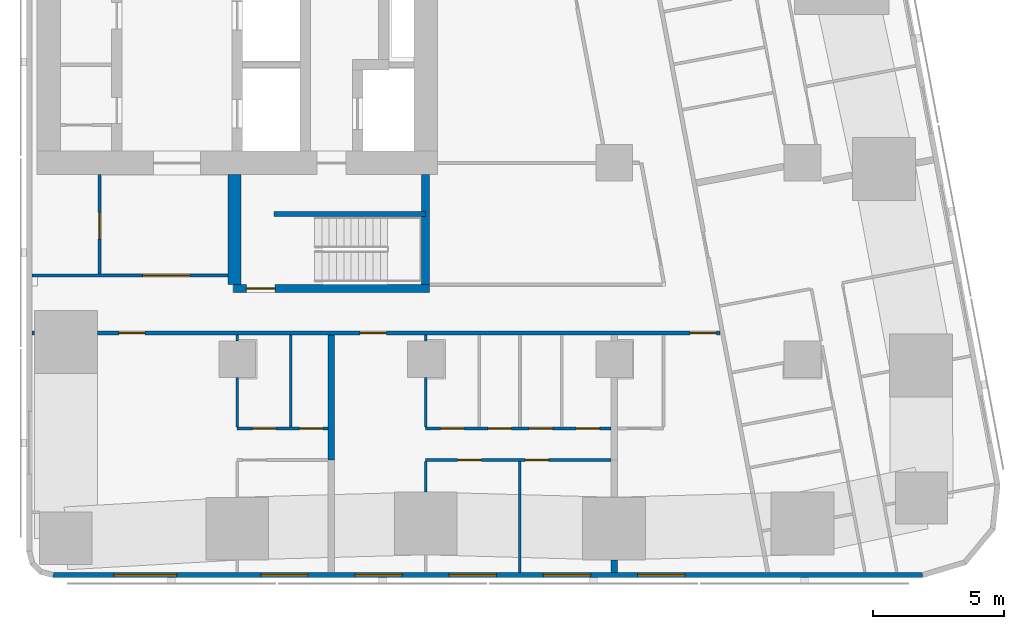
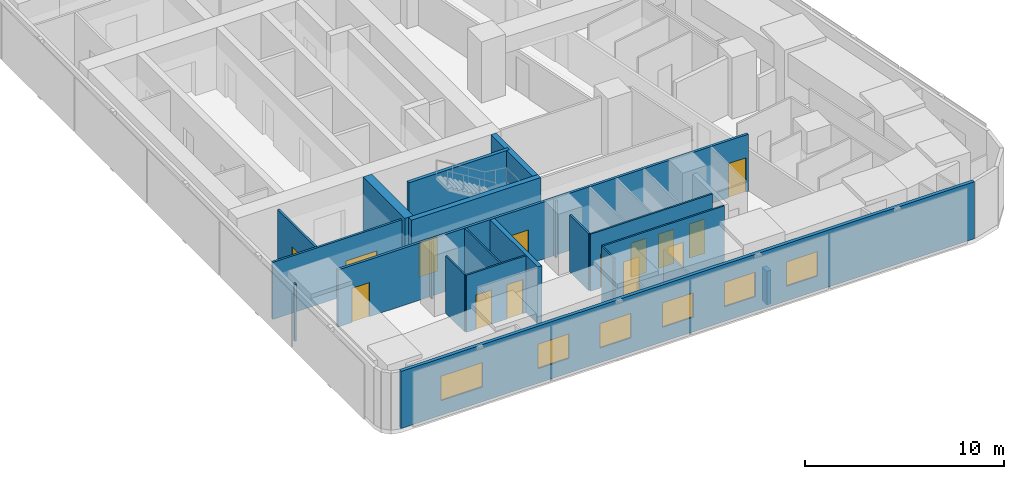
# One storey, part 2 of 10: 21 walls, 14 doors, 6 windows, 20 openings.
"""IFC4 building model written with IfcOpenShell, lengths in metres."""

from ifc_helpers import new_model, si_unit, direction, frame, frame_2d, origin, place, context, subcontext, project, spatial, rectangle, extrude, material, layer, layer_set, type_object, element, fill, save


model = new_model("IFC4")

# Units and contexts
model_context = context("Model", 3, precision=1e-05, world=origin(), true_north=direction((0.0, 1.0)))
body_context = subcontext(model_context, "Body", "Model", "MODEL_VIEW")
ifc_project = project(units=[si_unit("LENGTHUNIT", "METRE"), si_unit("AREAUNIT", "SQUARE_METRE"), si_unit("VOLUMEUNIT", "CUBIC_METRE"), si_unit("PLANEANGLEUNIT", "RADIAN"), si_unit("MASSUNIT", "GRAM", prefix="KILO")], contexts=[model_context])

# Site, building, storey
site_placement = place(None, origin())
site = spatial("IfcSite", under=ifc_project, at=site_placement, CompositionType="ELEMENT")
building_placement = place(site_placement, origin())
building = spatial("IfcBuilding", under=site, at=building_placement, Name="Sheger Commons Tower", CompositionType="ELEMENT")
storey_placement = place(building_placement, frame((0.0, 0.0, 227.449951171875)))
storey = spatial("IfcBuildingStorey", under=building, at=storey_placement, Name="L58", CompositionType="ELEMENT", Elevation=227.449951171875)

# Wall, openings, doors
ifc_material_1 = material(Name="Hollow concrete block masonry, skimmed both sides", Category="masonry")
ifc_layer_1 = layer(ifc_material_1, 0.14990234375)
ifc_layer_set_1 = layer_set([ifc_layer_1], Name="CORRIDOR WALL 150")
wall_type_1 = type_object("IfcWallType", Name="CORRIDOR WALL 150", PredefinedType="SOLIDWALL", material=ifc_layer_set_1)
wall_1_placement = place(storey_placement, frame((40.052978515625, 8.5, 0.0), z_axis=(0.0, 0.0, 1.0), x_axis=(-1.0, 0.0, 0.0)))
wall_1 = element("IfcWall", 1, at=wall_1_placement, inside=storey, type_object=wall_type_1, Name="Corridor wall L58", PredefinedType="SOLIDWALL", context=body_context, shape_type="SweptSolid", body=[
    extrude(rectangle(XDim=23.798095703125, YDim=0.14990234375, at=frame_2d((11.89892578125, 0.0))), origin(), (0.0, 0.0, 1.0), 3.5),
])
opening_1_placement = place(wall_1_placement, frame((21.97802734375, 0.0, 0.0)))
opening_1 = element("IfcOpeningElement", 2, at=opening_1_placement, cuts=wall_1, Name="Opening D1", PredefinedType="OPENING", context=body_context, shape_type="SweptSolid", body=[
    extrude(rectangle(XDim=1.0, YDim=2.10009765625, at=frame_2d((0.5, 1.050048828125))), frame((0.0, 0.0849609375, 0.0), z_axis=(0.0, -1.0, 0.0), x_axis=(1.0, 0.0, 0.0)), (0.0, 0.0, 1.0), 0.169921875),
])
opening_2_placement = place(wall_1_placement, frame((12.7529296875, 0.0, 0.0)))
opening_2 = element("IfcOpeningElement", 3, at=opening_2_placement, cuts=wall_1, Name="Opening D1", PredefinedType="OPENING", context=body_context, shape_type="SweptSolid", body=[
    extrude(rectangle(XDim=1.0, YDim=2.10009765625, at=frame_2d((0.5, 1.050048828125))), frame((0.0, 0.0849609375, 0.0), z_axis=(0.0, -1.0, 0.0), x_axis=(1.0, 0.0, 0.0)), (0.0, 0.0, 1.0), 0.169921875),
])
opening_3_placement = place(wall_1_placement, frame((0.14990234375, 0.0, 0.0)))
opening_3 = element("IfcOpeningElement", 4, at=opening_3_placement, cuts=wall_1, Name="Opening D1", PredefinedType="OPENING", context=body_context, shape_type="SweptSolid", body=[
    extrude(rectangle(XDim=1.0, YDim=2.10009765625, at=frame_2d((0.5, 1.050048828125))), frame((0.0, 0.0849609375, 0.0), z_axis=(0.0, -1.0, 0.0), x_axis=(1.0, 0.0, 0.0)), (0.0, 0.0, 1.0), 0.169921875),
])
ifc_material_2 = material(Name="Steel door set, fire rated", Category="steel")
door_type_1 = type_object("IfcDoorType", Name="FLAT ENTRANCE DOOR 1000x2100", OperationType="NOTDEFINED", PredefinedType="DOOR", material=ifc_material_2)
door_1_placement = place(opening_1_placement, origin())
door_1 = element("IfcDoor", 5, at=door_1_placement, inside=storey, type_object=door_type_1, Name="Flat entrance door", OperationType="SINGLE_SWING_RIGHT", OverallHeight=2.10009765625, OverallWidth=1.0, PredefinedType="DOOR", context=body_context, shape_type="SweptSolid", body=[
    extrude(rectangle(XDim=1.0, YDim=2.10009765625, at=frame_2d((0.5, 1.050048828125))), frame((0.0, 0.02490234375, 0.0), z_axis=(0.0, -1.0, 0.0), x_axis=(1.0, 0.0, 0.0)), (0.0, 0.0, 1.0), 0.050048828125),
])
fill(opening_1, door_1)
door_2_placement = place(opening_2_placement, origin())
door_2 = element("IfcDoor", 6, at=door_2_placement, inside=storey, type_object=door_type_1, Name="Flat entrance door", OperationType="SINGLE_SWING_RIGHT", OverallHeight=2.10009765625, OverallWidth=1.0, PredefinedType="DOOR", context=body_context, shape_type="SweptSolid", body=[
    extrude(rectangle(XDim=1.0, YDim=2.10009765625, at=frame_2d((0.5, 1.050048828125))), frame((0.0, 0.02490234375, 0.0), z_axis=(0.0, -1.0, 0.0), x_axis=(1.0, 0.0, 0.0)), (0.0, 0.0, 1.0), 0.050048828125),
])
fill(opening_2, door_2)
door_3_placement = place(opening_3_placement, origin())
door_3 = element("IfcDoor", 7, at=door_3_placement, inside=storey, type_object=door_type_1, Name="Flat entrance door", OperationType="SINGLE_SWING_LEFT", OverallHeight=2.10009765625, OverallWidth=1.0, PredefinedType="DOOR", context=body_context, shape_type="SweptSolid", body=[
    extrude(rectangle(XDim=1.0, YDim=2.10009765625, at=frame_2d((0.5, 1.050048828125))), frame((0.0, 0.02490234375, 0.0), z_axis=(0.0, -1.0, 0.0), x_axis=(1.0, 0.0, 0.0)), (0.0, 0.0, 1.0), 0.050048828125),
])
fill(opening_3, door_3)

# Walls
wall_2_placement = place(storey_placement, frame((13.85302734375, 8.5, 0.0), z_axis=(0.0, 0.0, 1.0), x_axis=(-1.0, 0.0, 0.0)))
element("IfcWall", 8, at=wall_2_placement, inside=storey, type_object=wall_type_1, Name="Corridor wall L58", PredefinedType="SOLIDWALL", context=body_context, shape_type="SweptSolid", body=[
    extrude(rectangle(XDim=0.10302734375, YDim=0.14990234375, at=frame_2d((0.051513671875, 0.0))), origin(), (0.0, 0.0, 1.0), 3.5),
])
ifc_material_3 = material(Name="Dense concrete block masonry, plastered both sides (separating wall between flats)", Category="masonry")
ifc_layer_2 = layer(ifc_material_3, 0.25)
ifc_layer_set_2 = layer_set([ifc_layer_2], Name="DEMISING WALL 250")
wall_type_2 = type_object("IfcWallType", Name="DEMISING WALL 250", PredefinedType="SOLIDWALL", material=ifc_layer_set_2)
wall_3_placement = place(storey_placement, frame((25.199951171875, 3.64990234375, 0.0), z_axis=(0.0, 0.0, 1.0), x_axis=(0.0, 1.0, 0.0)))
element("IfcWall", 9, at=wall_3_placement, inside=storey, type_object=wall_type_2, Name="Demising wall L58", PredefinedType="SOLIDWALL", context=body_context, shape_type="SweptSolid", body=[
    extrude(rectangle(XDim=4.775146484375, YDim=0.25, at=frame_2d((2.3876953125, 0.0))), origin(), (0.0, 0.0, 1.0), 3.5),
])
wall_4_placement = place(storey_placement, frame((36.0, -0.64990234375, 0.0), z_axis=(0.0, 0.0, 1.0), x_axis=(0.0, 1.0, 0.0)))
element("IfcWall", 10, at=wall_4_placement, inside=storey, type_object=wall_type_2, Name="Demising wall L58", PredefinedType="SOLIDWALL", context=body_context, shape_type="SweptSolid", body=[
    extrude(rectangle(XDim=0.473876953125, YDim=0.25, at=frame_2d((0.23681640625, 0.0))), origin(), (0.0, 0.0, 1.0), 2.050048828125),
])

# Wall, openings, windows
ifc_material_4 = material(Name="Rendered concrete block masonry, dark grey", Category="masonry")
ifc_layer_3 = layer(ifc_material_4, 0.199951171875)
ifc_layer_set_3 = layer_set([ifc_layer_3], Name="FACADE WALL 200")
wall_type_3 = type_object("IfcWallType", Name="FACADE WALL 200", PredefinedType="SOLIDWALL", material=ifc_layer_set_3)
wall_5_placement = place(storey_placement, frame((14.56298828125, -0.75, 0.0), z_axis=(0.0, 0.0, 1.0), x_axis=(1.0, 0.0, 0.0)))
wall_5 = element("IfcWall", 11, at=wall_5_placement, inside=storey, type_object=wall_type_3, Name="Facade wall L58", PredefinedType="SOLIDWALL", context=body_context, shape_type="SweptSolid", body=[
    extrude(rectangle(XDim=33.22802734375, YDim=0.199951171875, at=frame_2d((16.614013671875, 0.0))), origin(), (0.0, 0.0, 1.0), 3.5),
])
opening_4_placement = place(wall_5_placement, frame((2.319091796875, 0.0, 0.89990234375)))
opening_4 = element("IfcOpeningElement", 12, at=opening_4_placement, cuts=wall_5, Name="Opening W1", PredefinedType="OPENING", context=body_context, shape_type="SweptSolid", body=[
    extrude(rectangle(XDim=2.39990234375, YDim=1.5, at=frame_2d((1.199951171875, 0.75))), frame((0.0, 0.10986328125, 0.0), z_axis=(0.0, -1.0, 0.0), x_axis=(1.0, 0.0, 0.0)), (0.0, 0.0, 1.0), 0.219970703125),
])
opening_5_placement = place(wall_5_placement, frame((7.93701171875, 0.0, 0.89990234375)))
opening_5 = element("IfcOpeningElement", 13, at=opening_5_placement, cuts=wall_5, Name="Opening W2", PredefinedType="OPENING", context=body_context, shape_type="SweptSolid", body=[
    extrude(rectangle(XDim=1.800048828125, YDim=1.5, at=frame_2d((0.89990234375, 0.75))), frame((0.0, 0.10986328125, 0.0), z_axis=(0.0, -1.0, 0.0), x_axis=(1.0, 0.0, 0.0)), (0.0, 0.0, 1.0), 0.219970703125),
])
opening_6_placement = place(wall_5_placement, frame((11.537109375, 0.0, 0.89990234375)))
opening_6 = element("IfcOpeningElement", 14, at=opening_6_placement, cuts=wall_5, Name="Opening W2", PredefinedType="OPENING", context=body_context, shape_type="SweptSolid", body=[
    extrude(rectangle(XDim=1.800048828125, YDim=1.5, at=frame_2d((0.89990234375, 0.75))), frame((0.0, 0.10986328125, 0.0), z_axis=(0.0, -1.0, 0.0), x_axis=(1.0, 0.0, 0.0)), (0.0, 0.0, 1.0), 0.219970703125),
])
opening_7_placement = place(wall_5_placement, frame((15.136962890625, 0.0, 0.89990234375)))
opening_7 = element("IfcOpeningElement", 15, at=opening_7_placement, cuts=wall_5, Name="Opening W2", PredefinedType="OPENING", context=body_context, shape_type="SweptSolid", body=[
    extrude(rectangle(XDim=1.800048828125, YDim=1.5, at=frame_2d((0.89990234375, 0.75))), frame((0.0, 0.10986328125, 0.0), z_axis=(0.0, -1.0, 0.0), x_axis=(1.0, 0.0, 0.0)), (0.0, 0.0, 1.0), 0.219970703125),
])
opening_8_placement = place(wall_5_placement, frame((18.737060546875, 0.0, 0.89990234375)))
opening_8 = element("IfcOpeningElement", 16, at=opening_8_placement, cuts=wall_5, Name="Opening W2", PredefinedType="OPENING", context=body_context, shape_type="SweptSolid", body=[
    extrude(rectangle(XDim=1.800048828125, YDim=1.5, at=frame_2d((0.89990234375, 0.75))), frame((0.0, 0.10986328125, 0.0), z_axis=(0.0, -1.0, 0.0), x_axis=(1.0, 0.0, 0.0)), (0.0, 0.0, 1.0), 0.219970703125),
])
opening_9_placement = place(wall_5_placement, frame((22.3369140625, 0.0, 0.89990234375)))
opening_9 = element("IfcOpeningElement", 17, at=opening_9_placement, cuts=wall_5, Name="Opening W2", PredefinedType="OPENING", context=body_context, shape_type="SweptSolid", body=[
    extrude(rectangle(XDim=1.800048828125, YDim=1.5, at=frame_2d((0.89990234375, 0.75))), frame((0.0, 0.10986328125, 0.0), z_axis=(0.0, -1.0, 0.0), x_axis=(1.0, 0.0, 0.0)), (0.0, 0.0, 1.0), 0.219970703125),
])
ifc_material_5 = material(Name="Black aluminium frame, dark tinted double glazing", Category="aluminium")
window_type_1 = type_object("IfcWindowType", Name="WINDOW W1 2400x1500", PartitioningType="SINGLE_PANEL", PredefinedType="WINDOW", material=ifc_material_5)
window_1_placement = place(opening_4_placement, origin())
window_1 = element("IfcWindow", 18, at=window_1_placement, inside=storey, type_object=window_type_1, Name="Window W1 2400X1500", OverallHeight=1.5, OverallWidth=2.39990234375, PartitioningType="SINGLE_PANEL", PredefinedType="WINDOW", context=body_context, shape_type="SweptSolid", body=[
    extrude(rectangle(XDim=2.39990234375, YDim=1.5, at=frame_2d((1.199951171875, 0.75))), frame((0.0, 0.030029296875, 0.0), z_axis=(0.0, -1.0, 0.0), x_axis=(1.0, 0.0, 0.0)), (0.0, 0.0, 1.0), 0.06005859375),
])
fill(opening_4, window_1)
ifc_material_6 = material(Name="Black aluminium frame, dark tinted double glazing", Category="aluminium")
window_type_2 = type_object("IfcWindowType", Name="WINDOW W2 1800x1500", PartitioningType="SINGLE_PANEL", PredefinedType="WINDOW", material=ifc_material_6)
window_2_placement = place(opening_5_placement, origin())
window_2 = element("IfcWindow", 19, at=window_2_placement, inside=storey, type_object=window_type_2, Name="Window W2 1800X1500", OverallHeight=1.5, OverallWidth=1.800048828125, PartitioningType="SINGLE_PANEL", PredefinedType="WINDOW", context=body_context, shape_type="SweptSolid", body=[
    extrude(rectangle(XDim=1.800048828125, YDim=1.5, at=frame_2d((0.89990234375, 0.75))), frame((0.0, 0.030029296875, 0.0), z_axis=(0.0, -1.0, 0.0), x_axis=(1.0, 0.0, 0.0)), (0.0, 0.0, 1.0), 0.06005859375),
])
fill(opening_5, window_2)
window_3_placement = place(opening_6_placement, origin())
window_3 = element("IfcWindow", 20, at=window_3_placement, inside=storey, type_object=window_type_2, Name="Window W2 1800X1500", OverallHeight=1.5, OverallWidth=1.800048828125, PartitioningType="SINGLE_PANEL", PredefinedType="WINDOW", context=body_context, shape_type="SweptSolid", body=[
    extrude(rectangle(XDim=1.800048828125, YDim=1.5, at=frame_2d((0.89990234375, 0.75))), frame((0.0, 0.030029296875, 0.0), z_axis=(0.0, -1.0, 0.0), x_axis=(1.0, 0.0, 0.0)), (0.0, 0.0, 1.0), 0.06005859375),
])
fill(opening_6, window_3)
window_4_placement = place(opening_7_placement, origin())
window_4 = element("IfcWindow", 21, at=window_4_placement, inside=storey, type_object=window_type_2, Name="Window W2 1800X1500", OverallHeight=1.5, OverallWidth=1.800048828125, PartitioningType="SINGLE_PANEL", PredefinedType="WINDOW", context=body_context, shape_type="SweptSolid", body=[
    extrude(rectangle(XDim=1.800048828125, YDim=1.5, at=frame_2d((0.89990234375, 0.75))), frame((0.0, 0.030029296875, 0.0), z_axis=(0.0, -1.0, 0.0), x_axis=(1.0, 0.0, 0.0)), (0.0, 0.0, 1.0), 0.06005859375),
])
fill(opening_7, window_4)
window_5_placement = place(opening_8_placement, origin())
window_5 = element("IfcWindow", 22, at=window_5_placement, inside=storey, type_object=window_type_2, Name="Window W2 1800X1500", OverallHeight=1.5, OverallWidth=1.800048828125, PartitioningType="SINGLE_PANEL", PredefinedType="WINDOW", context=body_context, shape_type="SweptSolid", body=[
    extrude(rectangle(XDim=1.800048828125, YDim=1.5, at=frame_2d((0.89990234375, 0.75))), frame((0.0, 0.030029296875, 0.0), z_axis=(0.0, -1.0, 0.0), x_axis=(1.0, 0.0, 0.0)), (0.0, 0.0, 1.0), 0.06005859375),
])
fill(opening_8, window_5)
window_6_placement = place(opening_9_placement, origin())
window_6 = element("IfcWindow", 23, at=window_6_placement, inside=storey, type_object=window_type_2, Name="Window W2 1800X1500", OverallHeight=1.5, OverallWidth=1.800048828125, PartitioningType="SINGLE_PANEL", PredefinedType="WINDOW", context=body_context, shape_type="SweptSolid", body=[
    extrude(rectangle(XDim=1.800048828125, YDim=1.5, at=frame_2d((0.89990234375, 0.75))), frame((0.0, 0.030029296875, 0.0), z_axis=(0.0, -1.0, 0.0), x_axis=(1.0, 0.0, 0.0)), (0.0, 0.0, 1.0), 0.06005859375),
])
fill(opening_9, window_6)

# Wall, openings, doors
ifc_material_7 = material(Name="Gypsum board on steel studs", Category="steel")
ifc_layer_4 = layer(ifc_material_7, 0.10009765625)
ifc_layer_set_4 = layer_set([ifc_layer_4], Name="PARTITION 100")
wall_type_4 = type_object("IfcWallType", Name="PARTITION 100", PredefinedType="PARTITIONING", material=ifc_layer_set_4)
wall_6_placement = place(storey_placement, frame((25.074951171875, 4.85009765625, 0.0), z_axis=(0.0, 0.0, 1.0), x_axis=(-1.0, 0.0, 0.0)))
wall_6 = element("IfcWall", 24, at=wall_6_placement, inside=storey, type_object=wall_type_4, Name="Partition L58", PredefinedType="PARTITIONING", context=body_context, shape_type="SweptSolid", body=[
    extrude(rectangle(XDim=3.474853515625, YDim=0.10009765625, at=frame_2d((1.7373046875, 0.0))), origin(), (0.0, 0.0, 1.0), 3.5),
])
opening_10_placement = place(wall_6_placement, frame((2.0, 0.0, 0.0)))
opening_10 = element("IfcOpeningElement", 25, at=opening_10_placement, cuts=wall_6, Name="Opening D2", PredefinedType="OPENING", context=body_context, shape_type="SweptSolid", body=[
    extrude(rectangle(XDim=0.89990234375, YDim=2.10009765625, at=frame_2d((0.449951171875, 1.050048828125))), frame((0.0, 0.06005859375, 0.0), z_axis=(0.0, -1.0, 0.0), x_axis=(1.0, 0.0, 0.0)), (0.0, 0.0, 1.0), 0.1201171875),
])
opening_11_placement = place(wall_6_placement, frame((0.199951171875, 0.0, 0.0)))
opening_11 = element("IfcOpeningElement", 26, at=opening_11_placement, cuts=wall_6, Name="Opening D2", PredefinedType="OPENING", context=body_context, shape_type="SweptSolid", body=[
    extrude(rectangle(XDim=0.89990234375, YDim=2.10009765625, at=frame_2d((0.449951171875, 1.050048828125))), frame((0.0, 0.06005859375, 0.0), z_axis=(0.0, -1.0, 0.0), x_axis=(1.0, 0.0, 0.0)), (0.0, 0.0, 1.0), 0.1201171875),
])
ifc_material_8 = material(Name="Timber door set", Category="wood")
door_type_2 = type_object("IfcDoorType", Name="INTERNAL DOOR 900x2100", OperationType="NOTDEFINED", PredefinedType="DOOR", material=ifc_material_8)
door_4_placement = place(opening_10_placement, origin())
door_4 = element("IfcDoor", 27, at=door_4_placement, inside=storey, type_object=door_type_2, Name="Bathroom door", OperationType="SINGLE_SWING_LEFT", OverallHeight=2.10009765625, OverallWidth=0.89990234375, PredefinedType="DOOR", context=body_context, shape_type="SweptSolid", body=[
    extrude(rectangle(XDim=0.89990234375, YDim=2.10009765625, at=frame_2d((0.449951171875, 1.050048828125))), frame((0.0, 0.02490234375, 0.0), z_axis=(0.0, -1.0, 0.0), x_axis=(1.0, 0.0, 0.0)), (0.0, 0.0, 1.0), 0.050048828125),
])
fill(opening_10, door_4)
door_5_placement = place(opening_11_placement, origin())
door_5 = element("IfcDoor", 28, at=door_5_placement, inside=storey, type_object=door_type_2, Name="Store door", OperationType="SINGLE_SWING_RIGHT", OverallHeight=2.10009765625, OverallWidth=0.89990234375, PredefinedType="DOOR", context=body_context, shape_type="SweptSolid", body=[
    extrude(rectangle(XDim=0.89990234375, YDim=2.10009765625, at=frame_2d((0.449951171875, 1.050048828125))), frame((0.0, 0.02490234375, 0.0), z_axis=(0.0, -1.0, 0.0), x_axis=(1.0, 0.0, 0.0)), (0.0, 0.0, 1.0), 0.050048828125),
])
fill(opening_11, door_5)

# Walls
wall_7_placement = place(storey_placement, frame((21.60009765625, 4.89990234375, 0.0), z_axis=(0.0, 0.0, 1.0), x_axis=(0.0, 1.0, 0.0)))
element("IfcWall", 29, at=wall_7_placement, inside=storey, type_object=wall_type_4, Name="Partition L58", PredefinedType="PARTITIONING", context=body_context, shape_type="SweptSolid", body=[
    extrude(rectangle(XDim=1.899169921875, YDim=0.10009765625, at=frame_2d((0.94970703125, 0.0))), origin(), (0.0, 0.0, 1.0), 3.5),
])
wall_8_placement = place(storey_placement, frame((21.60009765625, 8.200927734375, 0.0), z_axis=(0.0, 0.0, 1.0), x_axis=(0.0, 1.0, 0.0)))
element("IfcWall", 30, at=wall_8_placement, inside=storey, type_object=wall_type_4, Name="Partition L58", PredefinedType="PARTITIONING", context=body_context, shape_type="SweptSolid", body=[
    extrude(rectangle(XDim=0.22412109375, YDim=0.10009765625, at=frame_2d((0.112060546875, 0.0))), origin(), (0.0, 0.0, 1.0), 3.5),
])
wall_9_placement = place(storey_placement, frame((23.64990234375, 4.89990234375, 0.0), z_axis=(0.0, 0.0, 1.0), x_axis=(0.0, 1.0, 0.0)))
element("IfcWall", 31, at=wall_9_placement, inside=storey, type_object=wall_type_4, Name="Partition L58", PredefinedType="PARTITIONING", context=body_context, shape_type="SweptSolid", body=[
    extrude(rectangle(XDim=3.525146484375, YDim=0.10009765625, at=frame_2d((1.7626953125, 0.0))), origin(), (0.0, 0.0, 1.0), 3.5),
])

# Wall, openings, doors
wall_10_placement = place(storey_placement, frame((35.875, 3.64990234375, 0.0), z_axis=(0.0, 0.0, 1.0), x_axis=(-1.0, 0.0, 0.0)))
wall_10 = element("IfcWall", 32, at=wall_10_placement, inside=storey, type_object=wall_type_4, Name="Partition L58", PredefinedType="PARTITIONING", context=body_context, shape_type="SweptSolid", body=[
    extrude(rectangle(XDim=7.074951171875, YDim=0.10009765625, at=frame_2d((3.53759765625, 0.0))), origin(), (0.0, 0.0, 1.0), 3.5),
])
opening_12_placement = place(wall_10_placement, frame((4.949951171875, 0.0, 0.0)))
opening_12 = element("IfcOpeningElement", 33, at=opening_12_placement, cuts=wall_10, Name="Opening D2", PredefinedType="OPENING", context=body_context, shape_type="SweptSolid", body=[
    extrude(rectangle(XDim=0.89990234375, YDim=2.10009765625, at=frame_2d((0.449951171875, 1.050048828125))), frame((0.0, 0.06005859375, 0.0), z_axis=(0.0, -1.0, 0.0), x_axis=(1.0, 0.0, 0.0)), (0.0, 0.0, 1.0), 0.1201171875),
])
opening_13_placement = place(wall_10_placement, frame((2.375, 0.0, 0.0)))
opening_13 = element("IfcOpeningElement", 34, at=opening_13_placement, cuts=wall_10, Name="Opening D2", PredefinedType="OPENING", context=body_context, shape_type="SweptSolid", body=[
    extrude(rectangle(XDim=0.89990234375, YDim=2.10009765625, at=frame_2d((0.449951171875, 1.050048828125))), frame((0.0, 0.06005859375, 0.0), z_axis=(0.0, -1.0, 0.0), x_axis=(1.0, 0.0, 0.0)), (0.0, 0.0, 1.0), 0.1201171875),
])
door_6_placement = place(opening_12_placement, origin())
door_6 = element("IfcDoor", 35, at=door_6_placement, inside=storey, type_object=door_type_2, Name="Main bedroom door", OperationType="SINGLE_SWING_RIGHT", OverallHeight=2.10009765625, OverallWidth=0.89990234375, PredefinedType="DOOR", context=body_context, shape_type="SweptSolid", body=[
    extrude(rectangle(XDim=0.89990234375, YDim=2.10009765625, at=frame_2d((0.449951171875, 1.050048828125))), frame((0.0, 0.02490234375, 0.0), z_axis=(0.0, -1.0, 0.0), x_axis=(1.0, 0.0, 0.0)), (0.0, 0.0, 1.0), 0.050048828125),
])
fill(opening_12, door_6)
door_7_placement = place(opening_13_placement, origin())
door_7 = element("IfcDoor", 36, at=door_7_placement, inside=storey, type_object=door_type_2, Name="Bedroom 2 door", OperationType="SINGLE_SWING_RIGHT", OverallHeight=2.10009765625, OverallWidth=0.89990234375, PredefinedType="DOOR", context=body_context, shape_type="SweptSolid", body=[
    extrude(rectangle(XDim=0.89990234375, YDim=2.10009765625, at=frame_2d((0.449951171875, 1.050048828125))), frame((0.0, 0.02490234375, 0.0), z_axis=(0.0, -1.0, 0.0), x_axis=(1.0, 0.0, 0.0)), (0.0, 0.0, 1.0), 0.050048828125),
])
fill(opening_13, door_7)

wall_11_placement = place(storey_placement, frame((35.875, 4.85009765625, 0.0), z_axis=(0.0, 0.0, 1.0), x_axis=(-1.0, 0.0, 0.0)))
wall_11 = element("IfcWall", 37, at=wall_11_placement, inside=storey, type_object=wall_type_4, Name="Partition L58", PredefinedType="PARTITIONING", context=body_context, shape_type="SweptSolid", body=[
    extrude(rectangle(XDim=7.074951171875, YDim=0.10009765625, at=frame_2d((3.53759765625, 0.0))), origin(), (0.0, 0.0, 1.0), 3.5),
])
opening_14_placement = place(wall_11_placement, frame((5.60009765625, 0.0, 0.0)))
opening_14 = element("IfcOpeningElement", 38, at=opening_14_placement, cuts=wall_11, Name="Opening D2", PredefinedType="OPENING", context=body_context, shape_type="SweptSolid", body=[
    extrude(rectangle(XDim=0.89990234375, YDim=2.10009765625, at=frame_2d((0.449951171875, 1.050048828125))), frame((0.0, 0.06005859375, 0.0), z_axis=(0.0, -1.0, 0.0), x_axis=(1.0, 0.0, 0.0)), (0.0, 0.0, 1.0), 0.1201171875),
])
opening_15_placement = place(wall_11_placement, frame((2.22509765625, 0.0, 0.0)))
opening_15 = element("IfcOpeningElement", 39, at=opening_15_placement, cuts=wall_11, Name="Opening D2", PredefinedType="OPENING", context=body_context, shape_type="SweptSolid", body=[
    extrude(rectangle(XDim=0.89990234375, YDim=2.10009765625, at=frame_2d((0.449951171875, 1.050048828125))), frame((0.0, 0.06005859375, 0.0), z_axis=(0.0, -1.0, 0.0), x_axis=(1.0, 0.0, 0.0)), (0.0, 0.0, 1.0), 0.1201171875),
])
opening_16_placement = place(wall_11_placement, frame((3.800048828125, 0.0, 0.0)))
opening_16 = element("IfcOpeningElement", 40, at=opening_16_placement, cuts=wall_11, Name="Opening D2", PredefinedType="OPENING", context=body_context, shape_type="SweptSolid", body=[
    extrude(rectangle(XDim=0.89990234375, YDim=2.10009765625, at=frame_2d((0.449951171875, 1.050048828125))), frame((0.0, 0.06005859375, 0.0), z_axis=(0.0, -1.0, 0.0), x_axis=(1.0, 0.0, 0.0)), (0.0, 0.0, 1.0), 0.1201171875),
])
opening_17_placement = place(wall_11_placement, frame((0.425048828125, 0.0, 0.0)))
opening_17 = element("IfcOpeningElement", 41, at=opening_17_placement, cuts=wall_11, Name="Opening D2", PredefinedType="OPENING", context=body_context, shape_type="SweptSolid", body=[
    extrude(rectangle(XDim=0.89990234375, YDim=2.10009765625, at=frame_2d((0.449951171875, 1.050048828125))), frame((0.0, 0.06005859375, 0.0), z_axis=(0.0, -1.0, 0.0), x_axis=(1.0, 0.0, 0.0)), (0.0, 0.0, 1.0), 0.1201171875),
])
door_8_placement = place(opening_14_placement, origin())
door_8 = element("IfcDoor", 42, at=door_8_placement, inside=storey, type_object=door_type_2, Name="Bathroom door", OperationType="SINGLE_SWING_LEFT", OverallHeight=2.10009765625, OverallWidth=0.89990234375, PredefinedType="DOOR", context=body_context, shape_type="SweptSolid", body=[
    extrude(rectangle(XDim=0.89990234375, YDim=2.10009765625, at=frame_2d((0.449951171875, 1.050048828125))), frame((0.0, 0.02490234375, 0.0), z_axis=(0.0, -1.0, 0.0), x_axis=(1.0, 0.0, 0.0)), (0.0, 0.0, 1.0), 0.050048828125),
])
fill(opening_14, door_8)
door_9_placement = place(opening_15_placement, origin())
door_9 = element("IfcDoor", 43, at=door_9_placement, inside=storey, type_object=door_type_2, Name="Shower room door", OperationType="SINGLE_SWING_RIGHT", OverallHeight=2.10009765625, OverallWidth=0.89990234375, PredefinedType="DOOR", context=body_context, shape_type="SweptSolid", body=[
    extrude(rectangle(XDim=0.89990234375, YDim=2.10009765625, at=frame_2d((0.449951171875, 1.050048828125))), frame((0.0, 0.02490234375, 0.0), z_axis=(0.0, -1.0, 0.0), x_axis=(1.0, 0.0, 0.0)), (0.0, 0.0, 1.0), 0.050048828125),
])
fill(opening_15, door_9)
door_10_placement = place(opening_16_placement, origin())
door_10 = element("IfcDoor", 44, at=door_10_placement, inside=storey, type_object=door_type_2, Name="Store door", OperationType="SINGLE_SWING_RIGHT", OverallHeight=2.10009765625, OverallWidth=0.89990234375, PredefinedType="DOOR", context=body_context, shape_type="SweptSolid", body=[
    extrude(rectangle(XDim=0.89990234375, YDim=2.10009765625, at=frame_2d((0.449951171875, 1.050048828125))), frame((0.0, 0.02490234375, 0.0), z_axis=(0.0, -1.0, 0.0), x_axis=(1.0, 0.0, 0.0)), (0.0, 0.0, 1.0), 0.050048828125),
])
fill(opening_16, door_10)
door_11_placement = place(opening_17_placement, origin())
door_11 = element("IfcDoor", 45, at=door_11_placement, inside=storey, type_object=door_type_2, Name="Store door", OperationType="SINGLE_SWING_RIGHT", OverallHeight=2.10009765625, OverallWidth=0.89990234375, PredefinedType="DOOR", context=body_context, shape_type="SweptSolid", body=[
    extrude(rectangle(XDim=0.89990234375, YDim=2.10009765625, at=frame_2d((0.449951171875, 1.050048828125))), frame((0.0, 0.02490234375, 0.0), z_axis=(0.0, -1.0, 0.0), x_axis=(1.0, 0.0, 0.0)), (0.0, 0.0, 1.0), 0.050048828125),
])
fill(opening_17, door_11)

# Walls
wall_12_placement = place(storey_placement, frame((28.800048828125, 2.426025390625, 0.0), z_axis=(0.0, 0.0, 1.0), x_axis=(0.0, 1.0, 0.0)))
element("IfcWall", 46, at=wall_12_placement, inside=storey, type_object=wall_type_4, Name="Partition L58", PredefinedType="PARTITIONING", context=body_context, shape_type="SweptSolid", body=[
    extrude(rectangle(XDim=1.174072265625, YDim=0.10009765625, at=frame_2d((0.5869140625, 0.0))), origin(), (0.0, 0.0, 1.0), 3.5),
])
wall_13_placement = place(storey_placement, frame((32.39990234375, -0.64990234375, 0.0), z_axis=(0.0, 0.0, 1.0), x_axis=(0.0, 1.0, 0.0)))
element("IfcWall", 47, at=wall_13_placement, inside=storey, type_object=wall_type_4, Name="Partition L58", PredefinedType="PARTITIONING", context=body_context, shape_type="SweptSolid", body=[
    extrude(rectangle(XDim=4.25, YDim=0.10009765625, at=frame_2d((2.125, 0.0))), origin(), (0.0, 0.0, 1.0), 2.050048828125),
])
wall_14_placement = place(storey_placement, frame((28.800048828125, 4.89990234375, 0.0), z_axis=(0.0, 0.0, 1.0), x_axis=(0.0, 1.0, 0.0)))
element("IfcWall", 48, at=wall_14_placement, inside=storey, type_object=wall_type_4, Name="Partition L58", PredefinedType="PARTITIONING", context=body_context, shape_type="SweptSolid", body=[
    extrude(rectangle(XDim=1.899169921875, YDim=0.10009765625, at=frame_2d((0.94970703125, 0.0))), origin(), (0.0, 0.0, 1.0), 3.5),
])
wall_15_placement = place(storey_placement, frame((28.800048828125, 8.200927734375, 0.0), z_axis=(0.0, 0.0, 1.0), x_axis=(0.0, 1.0, 0.0)))
element("IfcWall", 49, at=wall_15_placement, inside=storey, type_object=wall_type_4, Name="Partition L58", PredefinedType="PARTITIONING", context=body_context, shape_type="SweptSolid", body=[
    extrude(rectangle(XDim=0.22412109375, YDim=0.10009765625, at=frame_2d((0.112060546875, 0.0))), origin(), (0.0, 0.0, 1.0), 3.5),
])

# Wall, opening, door
ifc_material_9 = material(Name="Gypsum board on steel studs, two layers each side, fire rated", Category="steel")
ifc_layer_5 = layer(ifc_material_9, 0.125)
ifc_layer_set_5 = layer_set([ifc_layer_5], Name="SERVICE WALL 125")
wall_type_5 = type_object("IfcWallType", Name="SERVICE WALL 125", PredefinedType="PARTITIONING", material=ifc_layer_set_5)
wall_16_placement = place(storey_placement, frame((13.75, 10.699951171875, 0.0), z_axis=(0.0, 0.0, 1.0), x_axis=(1.0, 0.0, 0.0)))
wall_16 = element("IfcWall", 50, at=wall_16_placement, inside=storey, type_object=wall_type_5, Name="Service room wall L58", PredefinedType="PARTITIONING", context=body_context, shape_type="SweptSolid", body=[
    extrude(rectangle(XDim=7.5, YDim=0.125, at=frame_2d((3.75, 0.0))), origin(), (0.0, 0.0, 1.0), 3.5),
])
opening_18_placement = place(wall_16_placement, frame((4.2451171875, 0.0, 0.0)))
opening_18 = element("IfcOpeningElement", 51, at=opening_18_placement, cuts=wall_16, Name="Opening D6", PredefinedType="OPENING", context=body_context, shape_type="SweptSolid", body=[
    extrude(rectangle(XDim=1.800048828125, YDim=2.10009765625, at=frame_2d((0.89990234375, 1.050048828125))), frame((0.0, 0.072509765625, 0.0), z_axis=(0.0, -1.0, 0.0), x_axis=(1.0, 0.0, 0.0)), (0.0, 0.0, 1.0), 0.14501953125),
])
ifc_material_10 = material(Name="Steel door set, fire rated", Category="steel")
door_type_3 = type_object("IfcDoorType", Name="LOBBY DOUBLE DOOR 1800x2100", OperationType="DOUBLE_DOOR_SINGLE_SWING", PredefinedType="DOOR", material=ifc_material_10)
door_12_placement = place(opening_18_placement, origin())
door_12 = element("IfcDoor", 52, at=door_12_placement, inside=storey, type_object=door_type_3, Name="Lift lobby south door", OperationType="DOUBLE_DOOR_SINGLE_SWING", OverallHeight=2.10009765625, OverallWidth=1.800048828125, PredefinedType="DOOR", context=body_context, shape_type="SweptSolid", body=[
    extrude(rectangle(XDim=1.800048828125, YDim=2.10009765625, at=frame_2d((0.89990234375, 1.050048828125))), frame((0.0, 0.02490234375, 0.0), z_axis=(0.0, -1.0, 0.0), x_axis=(1.0, 0.0, 0.0)), (0.0, 0.0, 1.0), 0.050048828125),
])
fill(opening_18, door_12)

wall_17_placement = place(storey_placement, frame((16.340087890625, 10.761962890625, 0.0), z_axis=(0.0, 0.0, 1.0), x_axis=(0.0, 1.0, 0.0)))
wall_17 = element("IfcWall", 53, at=wall_17_placement, inside=storey, type_object=wall_type_5, Name="Service room wall L58", PredefinedType="PARTITIONING", context=body_context, shape_type="SweptSolid", body=[
    extrude(rectangle(XDim=3.7880859375, YDim=0.125, at=frame_2d((1.89404296875, 0.0))), origin(), (0.0, 0.0, 1.0), 3.5),
])
opening_19_placement = place(wall_17_placement, frame((1.337890625, 0.0, 0.0)))
opening_19 = element("IfcOpeningElement", 54, at=opening_19_placement, cuts=wall_17, Name="Opening D4", PredefinedType="OPENING", context=body_context, shape_type="SweptSolid", body=[
    extrude(rectangle(XDim=1.0, YDim=2.10009765625, at=frame_2d((0.5, 1.050048828125))), frame((0.0, 0.072509765625, 0.0), z_axis=(0.0, -1.0, 0.0), x_axis=(1.0, 0.0, 0.0)), (0.0, 0.0, 1.0), 0.14501953125),
])
ifc_material_11 = material(Name="Steel door set, fire rated", Category="steel")
door_type_4 = type_object("IfcDoorType", Name="SERVICE DOOR 1000x2100", OperationType="NOTDEFINED", PredefinedType="DOOR", material=ifc_material_11)
door_13_placement = place(opening_19_placement, origin())
door_13 = element("IfcDoor", 55, at=door_13_placement, inside=storey, type_object=door_type_4, Name="Electrical room door", OperationType="SINGLE_SWING_LEFT", OverallHeight=2.10009765625, OverallWidth=1.0, PredefinedType="DOOR", context=body_context, shape_type="SweptSolid", body=[
    extrude(rectangle(XDim=1.0, YDim=2.10009765625, at=frame_2d((0.5, 1.050048828125))), frame((0.0, 0.02490234375, 0.0), z_axis=(0.0, -1.0, 0.0), x_axis=(1.0, 0.0, 0.0)), (0.0, 0.0, 1.0), 0.050048828125),
])
fill(opening_19, door_13)

ifc_material_12 = material(Name="Concrete C50/60", Category="concrete")
ifc_layer_6 = layer(ifc_material_12, 0.300048828125)
ifc_layer_set_6 = layer_set([ifc_layer_6], Name="STAIR CORE WALL 300")
wall_type_6 = type_object("IfcWallType", Name="STAIR CORE WALL 300", PredefinedType="SHEAR", material=ifc_layer_set_6)
wall_18_placement = place(storey_placement, frame((21.449951171875, 10.199951171875, 0.0), z_axis=(0.0, 0.0, 1.0), x_axis=(1.0, 0.0, 0.0)))
wall_18 = element("IfcWall", 56, at=wall_18_placement, inside=storey, type_object=wall_type_6, Name="STW-L58-S1S", PredefinedType="SHEAR", context=body_context, shape_type="SweptSolid", body=[
    extrude(rectangle(XDim=7.5, YDim=0.300048828125, at=frame_2d((3.75, 0.0))), origin(), (0.0, 0.0, 1.0), 3.75),
])
opening_20_placement = place(wall_18_placement, frame((0.5, 0.0, 0.0)))
opening_20 = element("IfcOpeningElement", 57, at=opening_20_placement, cuts=wall_18, Name="Opening D5", PredefinedType="OPENING", context=body_context, shape_type="SweptSolid", body=[
    extrude(rectangle(XDim=1.10009765625, YDim=2.10009765625, at=frame_2d((0.550048828125, 1.050048828125))), frame((0.0, 0.159912109375, 0.0), z_axis=(0.0, -1.0, 0.0), x_axis=(1.0, 0.0, 0.0)), (0.0, 0.0, 1.0), 0.320068359375),
])
ifc_material_13 = material(Name="Steel door set, fire rated", Category="steel")
door_type_5 = type_object("IfcDoorType", Name="STAIR DOOR 1100x2100", OperationType="NOTDEFINED", PredefinedType="DOOR", material=ifc_material_13)
door_14_placement = place(opening_20_placement, origin())
door_14 = element("IfcDoor", 58, at=door_14_placement, inside=storey, type_object=door_type_5, Name="Stair S1 door", OperationType="SINGLE_SWING_LEFT", OverallHeight=2.10009765625, OverallWidth=1.10009765625, PredefinedType="DOOR", context=body_context, shape_type="SweptSolid", body=[
    extrude(rectangle(XDim=1.10009765625, YDim=2.10009765625, at=frame_2d((0.550048828125, 1.050048828125))), frame((0.0, 0.02490234375, 0.0), z_axis=(0.0, -1.0, 0.0), x_axis=(1.0, 0.0, 0.0)), (0.0, 0.0, 1.0), 0.050048828125),
])
fill(opening_20, door_14)

# Walls
wall_19_placement = place(storey_placement, frame((28.800048828125, 10.35009765625, 0.0), z_axis=(0.0, 0.0, 1.0), x_axis=(0.0, 1.0, 0.0)))
element("IfcWall", 59, at=wall_19_placement, inside=storey, type_object=wall_type_6, Name="STW-L58-S1E", PredefinedType="SHEAR", context=body_context, shape_type="SweptSolid", body=[
    extrude(rectangle(XDim=4.199951171875, YDim=0.300048828125, at=frame_2d((2.10009765625, 0.0))), origin(), (0.0, 0.0, 1.0), 3.75),
])
ifc_material_14 = material(Name="Concrete C50/60", Category="concrete")
ifc_layer_7 = layer(ifc_material_14, 0.5)
ifc_layer_set_7 = layer_set([ifc_layer_7], Name="STAIR CORE WALL 500")
wall_type_7 = type_object("IfcWallType", Name="STAIR CORE WALL 500", PredefinedType="SHEAR", material=ifc_layer_set_7)
wall_20_placement = place(storey_placement, frame((21.5, 10.35009765625, 0.0), z_axis=(0.0, 0.0, 1.0), x_axis=(0.0, 1.0, 0.0)))
element("IfcWall", 60, at=wall_20_placement, inside=storey, type_object=wall_type_7, Name="STW-L58-S1W", PredefinedType="SHEAR", context=body_context, shape_type="SweptSolid", body=[
    extrude(rectangle(XDim=4.199951171875, YDim=0.5, at=frame_2d((2.10009765625, 0.0))), origin(), (0.0, 0.0, 1.0), 3.75),
])
ifc_material_15 = material(Name="Concrete C50/60", Category="concrete")
ifc_layer_8 = layer(ifc_material_15, 0.199951171875)
ifc_layer_set_8 = layer_set([ifc_layer_8], Name="STAIR SPINE WALL 200")
wall_type_8 = type_object("IfcWallType", Name="STAIR SPINE WALL 200", PredefinedType="SHEAR", material=ifc_layer_set_8)
wall_21_placement = place(storey_placement, frame((23.0, 13.050048828125, 0.0), z_axis=(0.0, 0.0, 1.0), x_axis=(1.0, 0.0, 0.0)))
element("IfcWall", 61, at=wall_21_placement, inside=storey, type_object=wall_type_8, Name="Stair spine wall L58", PredefinedType="SHEAR", context=body_context, shape_type="SweptSolid", body=[
    extrude(rectangle(XDim=5.800048828125, YDim=0.199951171875, at=frame_2d((2.89990234375, 0.0))), origin(), (0.0, 0.0, 1.0), 3.75),
])

save(model, "model.ifc")
